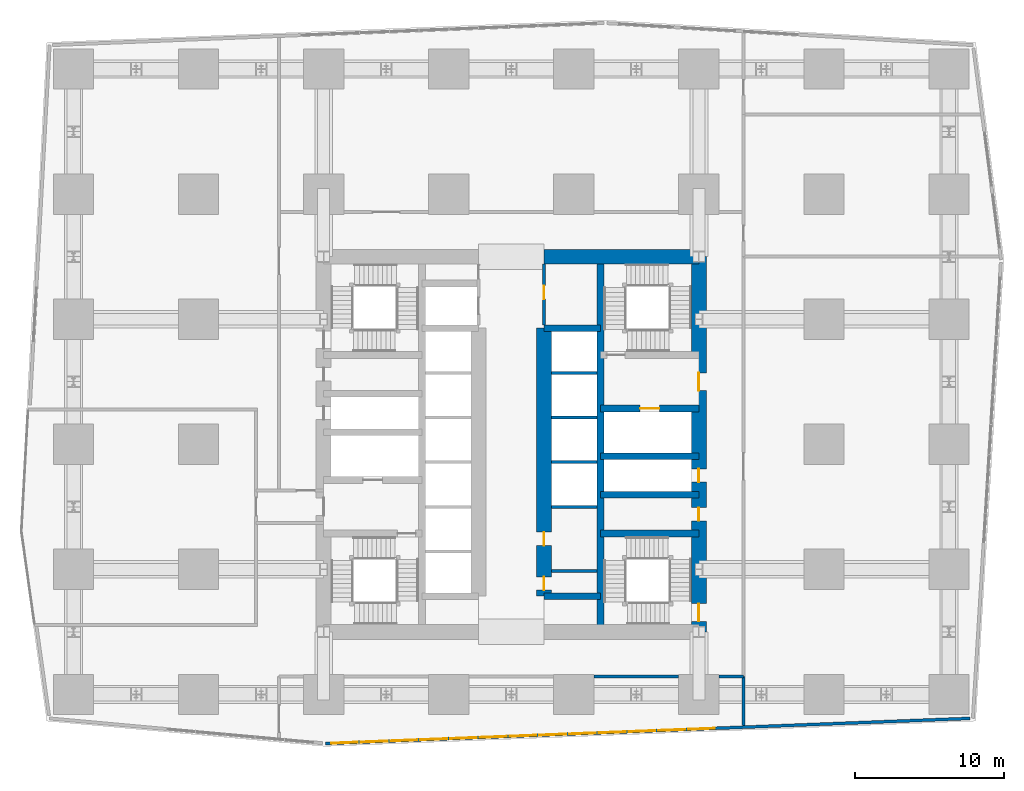
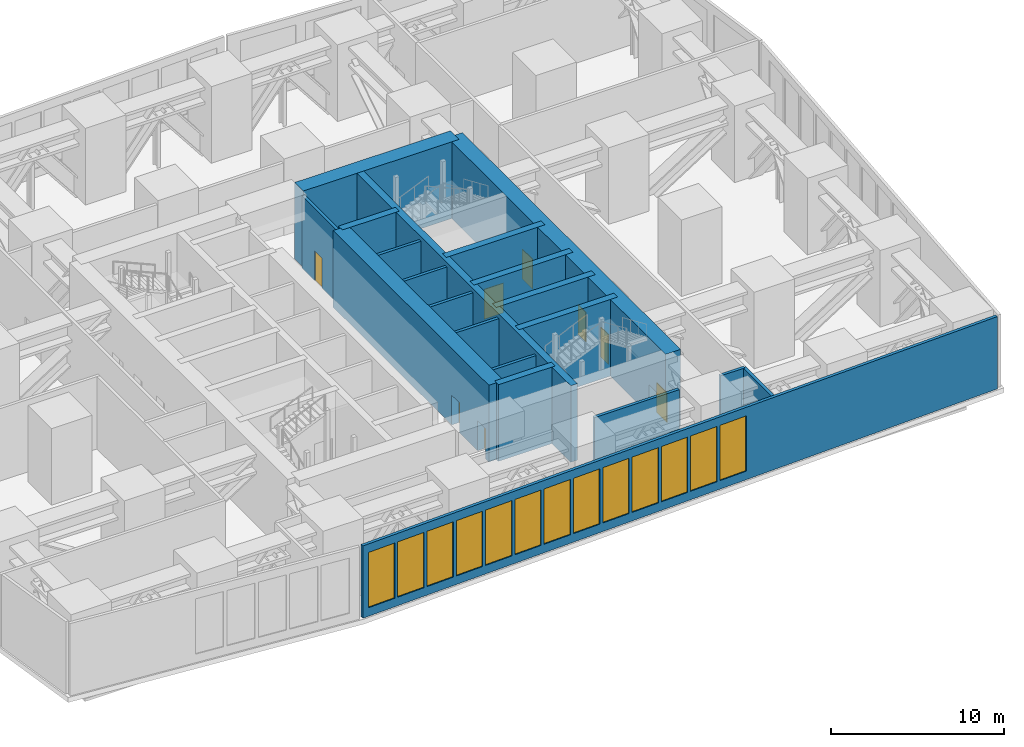
# One storey, part 10 of 16: 20 walls, 13 windows, 8 doors, 21 openings.
"""IFC4 building model written with IfcOpenShell, lengths in metres."""

from ifc_helpers import new_model, si_unit, direction, frame, frame_2d, origin, place, context, subcontext, project, spatial, rectangle, extrude, material, layer, layer_set, type_object, element, fill, save


model = new_model("IFC4")

# Units and contexts
model_context = context("Model", 3, precision=1e-05, world=origin(), true_north=direction((0.0, 1.0)))
body_context = subcontext(model_context, "Body", "Model", "MODEL_VIEW")
ifc_project = project(units=[si_unit("LENGTHUNIT", "METRE"), si_unit("AREAUNIT", "SQUARE_METRE"), si_unit("VOLUMEUNIT", "CUBIC_METRE"), si_unit("PLANEANGLEUNIT", "RADIAN"), si_unit("MASSUNIT", "GRAM", prefix="KILO")], contexts=[model_context])

# Site, building, storey
site_placement = place(None, origin())
site = spatial("IfcSite", under=ifc_project, at=site_placement, CompositionType="ELEMENT")
building_placement = place(site_placement, origin())
building = spatial("IfcBuilding", under=site, at=building_placement, Name="Rekha Terrace Tower", CompositionType="ELEMENT")
storey_placement = place(building_placement, frame((0.0, 0.0, 162.800048828125)))
storey = spatial("IfcBuildingStorey", under=building, at=storey_placement, Name="L41", CompositionType="ELEMENT", Elevation=162.800048828125)

# Walls
ifc_material_1 = material(Name="Concrete M60", Category="concrete")
ifc_layer_1 = layer(ifc_material_1, 0.449951171875)
ifc_layer_set_1 = layer_set([ifc_layer_1], Name="Concrete M60")
wall_type_1 = type_object("IfcWallType", Name="CI3 450 core internal shear wall", PredefinedType="SHEAR", material=ifc_layer_set_1)
wall_1_placement = place(storey_placement, frame((43.800048828125, 21.0, 0.0), z_axis=(0.0, 0.0, 1.0), x_axis=(0.0, 1.0, 0.0)))
element("IfcWall", 1, at=wall_1_placement, inside=storey, type_object=wall_type_1, Name="Core wall X438 L41", PredefinedType="SHEAR", context=body_context, shape_type="SweptSolid", body=[
    extrude(rectangle(XDim=25.199951171875, YDim=0.449951171875, at=frame_2d((12.60009765625, 0.0))), origin(), (0.0, 0.0, 1.0), 5.39990234375),
])
for number, where, z_axis, x_axis, name in (
    (2, (40.0, 23.39990234375, 0.0), (0.0, 0.0, 1.0), (1.0, 0.0, 0.0), "Core wall Y234E L41"),
    (3, (40.0, 41.39990234375, 0.0), (0.0, 0.0, 1.0), (1.0, 0.0, 0.0), "Core wall Y414E L41"),
):
    element("IfcWall", number, at=place(storey_placement, frame(where, z_axis=z_axis, x_axis=x_axis)), inside=storey, type_object=wall_type_1, Name=name, PredefinedType="SHEAR", context=body_context, shape_type="SweptSolid", body=[
        extrude(rectangle(XDim=3.800048828125, YDim=0.449951171875, at=frame_2d((1.89990234375, 0.0))), origin(), (0.0, 0.0, 1.0), 5.39990234375),
    ])
for number, where, z_axis, x_axis, name in (
    (4, (43.800048828125, 27.60009765625, 0.0), (0.0, 0.0, 1.0), (1.0, 0.0, 0.0), "Core wall Y276E L41"),
    (5, (43.800048828125, 30.199951171875, 0.0), (0.0, 0.0, 1.0), (1.0, 0.0, 0.0), "Core wall Y302E L41"),
    (6, (43.800048828125, 32.800048828125, 0.0), (0.0, 0.0, 1.0), (1.0, 0.0, 0.0), "Core wall Y328E L41"),
):
    element("IfcWall", number, at=place(storey_placement, frame(where, z_axis=z_axis, x_axis=x_axis)), inside=storey, type_object=wall_type_1, Name=name, PredefinedType="SHEAR", context=body_context, shape_type="SweptSolid", body=[
        extrude(rectangle(XDim=6.599853515625, YDim=0.449951171875, at=frame_2d((3.2998046875, 0.0))), origin(), (0.0, 0.0, 1.0), 5.39990234375),
    ])

# Wall, opening, door
wall_2_placement = place(storey_placement, frame((43.800048828125, 36.0, 0.0), z_axis=(0.0, 0.0, 1.0), x_axis=(1.0, 0.0, 0.0)))
wall_2 = element("IfcWall", 7, at=wall_2_placement, inside=storey, type_object=wall_type_1, Name="Core wall Y360E L41", PredefinedType="SHEAR", context=body_context, shape_type="SweptSolid", body=[
    extrude(rectangle(XDim=6.599853515625, YDim=0.449951171875, at=frame_2d((3.2998046875, 0.0))), origin(), (0.0, 0.0, 1.0), 5.39990234375),
])
opening_1_placement = place(wall_2_placement, frame((2.64990234375, 0.0, 0.0)))
opening_1 = element("IfcOpeningElement", 8, at=opening_1_placement, cuts=wall_2, Name="Opening LD2", PredefinedType="OPENING", context=body_context, shape_type="SweptSolid", body=[
    extrude(rectangle(XDim=1.300048828125, YDim=2.10009765625, at=frame_2d((0.64990234375, 1.050048828125))), frame((0.0, 0.23486328125, 0.0), z_axis=(0.0, -1.0, 0.0), x_axis=(1.0, 0.0, 0.0)), (0.0, 0.0, 1.0), 0.469970703125),
])
ifc_material_2 = material(Name="Stainless steel sliding landing door", Category="steel")
door_type_1 = type_object("IfcDoorType", Name="LD2 1300x2100 fire lift landing door", OperationType="SLIDING_TO_LEFT", PredefinedType="USERDEFINED", material=ifc_material_2)
door_1_placement = place(opening_1_placement, origin())
door_1 = element("IfcDoor", 9, at=door_1_placement, inside=storey, type_object=door_type_1, Name="Lift FL2 landing door L41", ObjectType="LIFT LANDING DOOR", OperationType="SLIDING_TO_LEFT", OverallHeight=2.10009765625, OverallWidth=1.300048828125, PredefinedType="USERDEFINED", context=body_context, shape_type="SweptSolid", body=[
    extrude(rectangle(XDim=1.300048828125, YDim=2.10009765625, at=frame_2d((0.64990234375, 1.050048828125))), frame((0.0, 0.02490234375, 0.0), z_axis=(0.0, -1.0, 0.0), x_axis=(1.0, 0.0, 0.0)), (0.0, 0.0, 1.0), 0.050048828125),
])
fill(opening_1, door_1)

# Wall, openings, windows
ifc_material_3 = material(Name="Aluminium cladding on steel stud wall", Category="steel")
ifc_layer_2 = layer(ifc_material_3, 0.199951171875)
ifc_layer_set_2 = layer_set([ifc_layer_2], Name="Aluminium cladding on steel stud wall")
wall_type_2 = type_object("IfcWallType", Name="EW1 plant floor louvre wall 200", PredefinedType="SOLIDWALL", material=ifc_layer_set_2)
wall_3_placement = place(storey_placement, frame((25.3251953125, 13.500244140625, 0.0), z_axis=(0.0, 0.0, 1.0), x_axis=(0.999243378677, 0.038893060706, 0.0)))
wall_3 = element("IfcWall", 10, at=wall_3_placement, inside=storey, type_object=wall_type_2, Name="Plant floor louvre wall", PredefinedType="SOLIDWALL", context=body_context, shape_type="SweptSolid", body=[
    extrude(rectangle(XDim=43.319091796875, YDim=0.199951171875, at=frame_2d((21.65966796875, 0.0))), origin(), (0.0, 0.0, 1.0), 5.099853515625),
])
opening_2_placement = place(wall_3_placement, frame((0.37255859375, 0.0, 0.60009765625)))
opening_2 = element("IfcOpeningElement", 11, at=opening_2_placement, cuts=wall_3, Name="Opening LV2", PredefinedType="OPENING", context=body_context, shape_type="SweptSolid", body=[
    extrude(rectangle(XDim=1.800048828125, YDim=3.89990234375, at=frame_2d((0.89990234375, 1.949951171875))), frame((0.0, 0.10986328125, 0.0), z_axis=(0.0, -1.0, 0.0), x_axis=(1.0, 0.0, 0.0)), (0.0, 0.0, 1.0), 0.219970703125),
])
opening_3_placement = place(wall_3_placement, frame((2.37255859375, 0.0, 0.60009765625)))
opening_3 = element("IfcOpeningElement", 12, at=opening_3_placement, cuts=wall_3, Name="Opening LV2", PredefinedType="OPENING", context=body_context, shape_type="SweptSolid", body=[
    extrude(rectangle(XDim=1.800048828125, YDim=3.89990234375, at=frame_2d((0.89990234375, 1.949951171875))), frame((0.0, 0.10986328125, 0.0), z_axis=(0.0, -1.0, 0.0), x_axis=(1.0, 0.0, 0.0)), (0.0, 0.0, 1.0), 0.219970703125),
])
opening_4_placement = place(wall_3_placement, frame((4.37255859375, 0.0, 0.60009765625)))
opening_4 = element("IfcOpeningElement", 13, at=opening_4_placement, cuts=wall_3, Name="Opening LV2", PredefinedType="OPENING", context=body_context, shape_type="SweptSolid", body=[
    extrude(rectangle(XDim=1.800048828125, YDim=3.89990234375, at=frame_2d((0.89990234375, 1.949951171875))), frame((0.0, 0.10986328125, 0.0), z_axis=(0.0, -1.0, 0.0), x_axis=(1.0, 0.0, 0.0)), (0.0, 0.0, 1.0), 0.219970703125),
])
opening_5_placement = place(wall_3_placement, frame((6.37255859375, 0.0, 0.60009765625)))
opening_5 = element("IfcOpeningElement", 14, at=opening_5_placement, cuts=wall_3, Name="Opening LV2", PredefinedType="OPENING", context=body_context, shape_type="SweptSolid", body=[
    extrude(rectangle(XDim=1.800048828125, YDim=3.89990234375, at=frame_2d((0.89990234375, 1.949951171875))), frame((0.0, 0.10986328125, 0.0), z_axis=(0.0, -1.0, 0.0), x_axis=(1.0, 0.0, 0.0)), (0.0, 0.0, 1.0), 0.219970703125),
])
opening_6_placement = place(wall_3_placement, frame((8.37255859375, 0.0, 0.60009765625)))
opening_6 = element("IfcOpeningElement", 15, at=opening_6_placement, cuts=wall_3, Name="Opening LV2", PredefinedType="OPENING", context=body_context, shape_type="SweptSolid", body=[
    extrude(rectangle(XDim=1.800048828125, YDim=3.89990234375, at=frame_2d((0.89990234375, 1.949951171875))), frame((0.0, 0.10986328125, 0.0), z_axis=(0.0, -1.0, 0.0), x_axis=(1.0, 0.0, 0.0)), (0.0, 0.0, 1.0), 0.219970703125),
])
opening_7_placement = place(wall_3_placement, frame((10.37255859375, 0.0, 0.60009765625)))
opening_7 = element("IfcOpeningElement", 16, at=opening_7_placement, cuts=wall_3, Name="Opening LV2", PredefinedType="OPENING", context=body_context, shape_type="SweptSolid", body=[
    extrude(rectangle(XDim=1.800048828125, YDim=3.89990234375, at=frame_2d((0.89990234375, 1.949951171875))), frame((0.0, 0.10986328125, 0.0), z_axis=(0.0, -1.0, 0.0), x_axis=(1.0, 0.0, 0.0)), (0.0, 0.0, 1.0), 0.219970703125),
])
opening_8_placement = place(wall_3_placement, frame((12.37255859375, 0.0, 0.60009765625)))
opening_8 = element("IfcOpeningElement", 17, at=opening_8_placement, cuts=wall_3, Name="Opening LV2", PredefinedType="OPENING", context=body_context, shape_type="SweptSolid", body=[
    extrude(rectangle(XDim=1.800048828125, YDim=3.89990234375, at=frame_2d((0.89990234375, 1.949951171875))), frame((0.0, 0.10986328125, 0.0), z_axis=(0.0, -1.0, 0.0), x_axis=(1.0, 0.0, 0.0)), (0.0, 0.0, 1.0), 0.219970703125),
])
opening_9_placement = place(wall_3_placement, frame((14.37255859375, 0.0, 0.60009765625)))
opening_9 = element("IfcOpeningElement", 18, at=opening_9_placement, cuts=wall_3, Name="Opening LV2", PredefinedType="OPENING", context=body_context, shape_type="SweptSolid", body=[
    extrude(rectangle(XDim=1.800048828125, YDim=3.89990234375, at=frame_2d((0.89990234375, 1.949951171875))), frame((0.0, 0.10986328125, 0.0), z_axis=(0.0, -1.0, 0.0), x_axis=(1.0, 0.0, 0.0)), (0.0, 0.0, 1.0), 0.219970703125),
])
opening_10_placement = place(wall_3_placement, frame((16.37255859375, 0.0, 0.60009765625)))
opening_10 = element("IfcOpeningElement", 19, at=opening_10_placement, cuts=wall_3, Name="Opening LV2", PredefinedType="OPENING", context=body_context, shape_type="SweptSolid", body=[
    extrude(rectangle(XDim=1.800048828125, YDim=3.89990234375, at=frame_2d((0.89990234375, 1.949951171875))), frame((0.0, 0.10986328125, 0.0), z_axis=(0.0, -1.0, 0.0), x_axis=(1.0, 0.0, 0.0)), (0.0, 0.0, 1.0), 0.219970703125),
])
opening_11_placement = place(wall_3_placement, frame((18.37255859375, 0.0, 0.60009765625)))
opening_11 = element("IfcOpeningElement", 20, at=opening_11_placement, cuts=wall_3, Name="Opening LV2", PredefinedType="OPENING", context=body_context, shape_type="SweptSolid", body=[
    extrude(rectangle(XDim=1.800048828125, YDim=3.89990234375, at=frame_2d((0.89990234375, 1.949951171875))), frame((0.0, 0.10986328125, 0.0), z_axis=(0.0, -1.0, 0.0), x_axis=(1.0, 0.0, 0.0)), (0.0, 0.0, 1.0), 0.219970703125),
])
opening_12_placement = place(wall_3_placement, frame((20.37255859375, 0.0, 0.60009765625)))
opening_12 = element("IfcOpeningElement", 21, at=opening_12_placement, cuts=wall_3, Name="Opening LV2", PredefinedType="OPENING", context=body_context, shape_type="SweptSolid", body=[
    extrude(rectangle(XDim=1.800048828125, YDim=3.89990234375, at=frame_2d((0.89990234375, 1.949951171875))), frame((0.0, 0.10986328125, 0.0), z_axis=(0.0, -1.0, 0.0), x_axis=(1.0, 0.0, 0.0)), (0.0, 0.0, 1.0), 0.219970703125),
])
opening_13_placement = place(wall_3_placement, frame((22.37255859375, 0.0, 0.60009765625)))
opening_13 = element("IfcOpeningElement", 22, at=opening_13_placement, cuts=wall_3, Name="Opening LV2", PredefinedType="OPENING", context=body_context, shape_type="SweptSolid", body=[
    extrude(rectangle(XDim=1.800048828125, YDim=3.89990234375, at=frame_2d((0.89990234375, 1.949951171875))), frame((0.0, 0.10986328125, 0.0), z_axis=(0.0, -1.0, 0.0), x_axis=(1.0, 0.0, 0.0)), (0.0, 0.0, 1.0), 0.219970703125),
])
opening_14_placement = place(wall_3_placement, frame((24.37255859375, 0.0, 0.60009765625)))
opening_14 = element("IfcOpeningElement", 23, at=opening_14_placement, cuts=wall_3, Name="Opening LV2", PredefinedType="OPENING", context=body_context, shape_type="SweptSolid", body=[
    extrude(rectangle(XDim=1.800048828125, YDim=3.89990234375, at=frame_2d((0.89990234375, 1.949951171875))), frame((0.0, 0.10986328125, 0.0), z_axis=(0.0, -1.0, 0.0), x_axis=(1.0, 0.0, 0.0)), (0.0, 0.0, 1.0), 0.219970703125),
])
ifc_material_4 = material(Name="Extruded aluminium weather louvre", Category="aluminium")
window_type = type_object("IfcWindowType", Name="LV2 plant louvre 1800", PartitioningType="SINGLE_PANEL", PredefinedType="USERDEFINED", material=ifc_material_4)
window_1_placement = place(opening_2_placement, origin())
window_1 = element("IfcWindow", 24, at=window_1_placement, inside=storey, type_object=window_type, Name="Plant louvre", ObjectType="LOUVRE", OverallHeight=3.89990234375, OverallWidth=1.800048828125, PartitioningType="SINGLE_PANEL", PredefinedType="USERDEFINED", context=body_context, shape_type="SweptSolid", body=[
    extrude(rectangle(XDim=1.800048828125, YDim=3.89990234375, at=frame_2d((0.89990234375, 1.949951171875))), frame((0.0, 0.030029296875, 0.0), z_axis=(0.0, -1.0, 0.0), x_axis=(1.0, 0.0, 0.0)), (0.0, 0.0, 1.0), 0.06005859375),
])
fill(opening_2, window_1)
window_2_placement = place(opening_3_placement, origin())
window_2 = element("IfcWindow", 25, at=window_2_placement, inside=storey, type_object=window_type, Name="Plant louvre", ObjectType="LOUVRE", OverallHeight=3.89990234375, OverallWidth=1.800048828125, PartitioningType="SINGLE_PANEL", PredefinedType="USERDEFINED", context=body_context, shape_type="SweptSolid", body=[
    extrude(rectangle(XDim=1.800048828125, YDim=3.89990234375, at=frame_2d((0.89990234375, 1.949951171875))), frame((0.0, 0.030029296875, 0.0), z_axis=(0.0, -1.0, 0.0), x_axis=(1.0, 0.0, 0.0)), (0.0, 0.0, 1.0), 0.06005859375),
])
fill(opening_3, window_2)
window_3_placement = place(opening_4_placement, origin())
window_3 = element("IfcWindow", 26, at=window_3_placement, inside=storey, type_object=window_type, Name="Plant louvre", ObjectType="LOUVRE", OverallHeight=3.89990234375, OverallWidth=1.800048828125, PartitioningType="SINGLE_PANEL", PredefinedType="USERDEFINED", context=body_context, shape_type="SweptSolid", body=[
    extrude(rectangle(XDim=1.800048828125, YDim=3.89990234375, at=frame_2d((0.89990234375, 1.949951171875))), frame((0.0, 0.030029296875, 0.0), z_axis=(0.0, -1.0, 0.0), x_axis=(1.0, 0.0, 0.0)), (0.0, 0.0, 1.0), 0.06005859375),
])
fill(opening_4, window_3)
window_4_placement = place(opening_5_placement, origin())
window_4 = element("IfcWindow", 27, at=window_4_placement, inside=storey, type_object=window_type, Name="Plant louvre", ObjectType="LOUVRE", OverallHeight=3.89990234375, OverallWidth=1.800048828125, PartitioningType="SINGLE_PANEL", PredefinedType="USERDEFINED", context=body_context, shape_type="SweptSolid", body=[
    extrude(rectangle(XDim=1.800048828125, YDim=3.89990234375, at=frame_2d((0.89990234375, 1.949951171875))), frame((0.0, 0.030029296875, 0.0), z_axis=(0.0, -1.0, 0.0), x_axis=(1.0, 0.0, 0.0)), (0.0, 0.0, 1.0), 0.06005859375),
])
fill(opening_5, window_4)
window_5_placement = place(opening_6_placement, origin())
window_5 = element("IfcWindow", 28, at=window_5_placement, inside=storey, type_object=window_type, Name="Plant louvre", ObjectType="LOUVRE", OverallHeight=3.89990234375, OverallWidth=1.800048828125, PartitioningType="SINGLE_PANEL", PredefinedType="USERDEFINED", context=body_context, shape_type="SweptSolid", body=[
    extrude(rectangle(XDim=1.800048828125, YDim=3.89990234375, at=frame_2d((0.89990234375, 1.949951171875))), frame((0.0, 0.030029296875, 0.0), z_axis=(0.0, -1.0, 0.0), x_axis=(1.0, 0.0, 0.0)), (0.0, 0.0, 1.0), 0.06005859375),
])
fill(opening_6, window_5)
window_6_placement = place(opening_7_placement, origin())
window_6 = element("IfcWindow", 29, at=window_6_placement, inside=storey, type_object=window_type, Name="Plant louvre", ObjectType="LOUVRE", OverallHeight=3.89990234375, OverallWidth=1.800048828125, PartitioningType="SINGLE_PANEL", PredefinedType="USERDEFINED", context=body_context, shape_type="SweptSolid", body=[
    extrude(rectangle(XDim=1.800048828125, YDim=3.89990234375, at=frame_2d((0.89990234375, 1.949951171875))), frame((0.0, 0.030029296875, 0.0), z_axis=(0.0, -1.0, 0.0), x_axis=(1.0, 0.0, 0.0)), (0.0, 0.0, 1.0), 0.06005859375),
])
fill(opening_7, window_6)
window_7_placement = place(opening_8_placement, origin())
window_7 = element("IfcWindow", 30, at=window_7_placement, inside=storey, type_object=window_type, Name="Plant louvre", ObjectType="LOUVRE", OverallHeight=3.89990234375, OverallWidth=1.800048828125, PartitioningType="SINGLE_PANEL", PredefinedType="USERDEFINED", context=body_context, shape_type="SweptSolid", body=[
    extrude(rectangle(XDim=1.800048828125, YDim=3.89990234375, at=frame_2d((0.89990234375, 1.949951171875))), frame((0.0, 0.030029296875, 0.0), z_axis=(0.0, -1.0, 0.0), x_axis=(1.0, 0.0, 0.0)), (0.0, 0.0, 1.0), 0.06005859375),
])
fill(opening_8, window_7)
window_8_placement = place(opening_9_placement, origin())
window_8 = element("IfcWindow", 31, at=window_8_placement, inside=storey, type_object=window_type, Name="Plant louvre", ObjectType="LOUVRE", OverallHeight=3.89990234375, OverallWidth=1.800048828125, PartitioningType="SINGLE_PANEL", PredefinedType="USERDEFINED", context=body_context, shape_type="SweptSolid", body=[
    extrude(rectangle(XDim=1.800048828125, YDim=3.89990234375, at=frame_2d((0.89990234375, 1.949951171875))), frame((0.0, 0.030029296875, 0.0), z_axis=(0.0, -1.0, 0.0), x_axis=(1.0, 0.0, 0.0)), (0.0, 0.0, 1.0), 0.06005859375),
])
fill(opening_9, window_8)
window_9_placement = place(opening_10_placement, origin())
window_9 = element("IfcWindow", 32, at=window_9_placement, inside=storey, type_object=window_type, Name="Plant louvre", ObjectType="LOUVRE", OverallHeight=3.89990234375, OverallWidth=1.800048828125, PartitioningType="SINGLE_PANEL", PredefinedType="USERDEFINED", context=body_context, shape_type="SweptSolid", body=[
    extrude(rectangle(XDim=1.800048828125, YDim=3.89990234375, at=frame_2d((0.89990234375, 1.949951171875))), frame((0.0, 0.030029296875, 0.0), z_axis=(0.0, -1.0, 0.0), x_axis=(1.0, 0.0, 0.0)), (0.0, 0.0, 1.0), 0.06005859375),
])
fill(opening_10, window_9)
window_10_placement = place(opening_11_placement, origin())
window_10 = element("IfcWindow", 33, at=window_10_placement, inside=storey, type_object=window_type, Name="Plant louvre", ObjectType="LOUVRE", OverallHeight=3.89990234375, OverallWidth=1.800048828125, PartitioningType="SINGLE_PANEL", PredefinedType="USERDEFINED", context=body_context, shape_type="SweptSolid", body=[
    extrude(rectangle(XDim=1.800048828125, YDim=3.89990234375, at=frame_2d((0.89990234375, 1.949951171875))), frame((0.0, 0.030029296875, 0.0), z_axis=(0.0, -1.0, 0.0), x_axis=(1.0, 0.0, 0.0)), (0.0, 0.0, 1.0), 0.06005859375),
])
fill(opening_11, window_10)
window_11_placement = place(opening_12_placement, origin())
window_11 = element("IfcWindow", 34, at=window_11_placement, inside=storey, type_object=window_type, Name="Plant louvre", ObjectType="LOUVRE", OverallHeight=3.89990234375, OverallWidth=1.800048828125, PartitioningType="SINGLE_PANEL", PredefinedType="USERDEFINED", context=body_context, shape_type="SweptSolid", body=[
    extrude(rectangle(XDim=1.800048828125, YDim=3.89990234375, at=frame_2d((0.89990234375, 1.949951171875))), frame((0.0, 0.030029296875, 0.0), z_axis=(0.0, -1.0, 0.0), x_axis=(1.0, 0.0, 0.0)), (0.0, 0.0, 1.0), 0.06005859375),
])
fill(opening_12, window_11)
window_12_placement = place(opening_13_placement, origin())
window_12 = element("IfcWindow", 35, at=window_12_placement, inside=storey, type_object=window_type, Name="Plant louvre", ObjectType="LOUVRE", OverallHeight=3.89990234375, OverallWidth=1.800048828125, PartitioningType="SINGLE_PANEL", PredefinedType="USERDEFINED", context=body_context, shape_type="SweptSolid", body=[
    extrude(rectangle(XDim=1.800048828125, YDim=3.89990234375, at=frame_2d((0.89990234375, 1.949951171875))), frame((0.0, 0.030029296875, 0.0), z_axis=(0.0, -1.0, 0.0), x_axis=(1.0, 0.0, 0.0)), (0.0, 0.0, 1.0), 0.06005859375),
])
fill(opening_13, window_12)
window_13_placement = place(opening_14_placement, origin())
window_13 = element("IfcWindow", 36, at=window_13_placement, inside=storey, type_object=window_type, Name="Plant louvre", ObjectType="LOUVRE", OverallHeight=3.89990234375, OverallWidth=1.800048828125, PartitioningType="SINGLE_PANEL", PredefinedType="USERDEFINED", context=body_context, shape_type="SweptSolid", body=[
    extrude(rectangle(XDim=1.800048828125, YDim=3.89990234375, at=frame_2d((0.89990234375, 1.949951171875))), frame((0.0, 0.030029296875, 0.0), z_axis=(0.0, -1.0, 0.0), x_axis=(1.0, 0.0, 0.0)), (0.0, 0.0, 1.0), 0.06005859375),
])
fill(opening_14, window_13)

# Wall, openings, doors
ifc_layer_3 = layer(ifc_material_1, 1.0)
ifc_layer_set_3 = layer_set([ifc_layer_3], Name="Concrete M60")
wall_type_3 = type_object("IfcWallType", Name="LW3 1000 core lobby wall at an outrigger level", PredefinedType="SHEAR", material=ifc_layer_set_3)
wall_4_placement = place(storey_placement, frame((40.0, 23.39990234375, 0.0), z_axis=(0.0, 0.0, 1.0), x_axis=(0.0, 1.0, 0.0)))
wall_4 = element("IfcWall", 37, at=wall_4_placement, inside=storey, type_object=wall_type_3, Name="Core wall X400 L41", PredefinedType="SHEAR", context=body_context, shape_type="SweptSolid", body=[
    extrude(rectangle(XDim=18.0, YDim=1.0, at=frame_2d((9.0, 0.0))), origin(), (0.0, 0.0, 1.0), 5.39990234375),
])
opening_15_placement = place(wall_4_placement, frame((0.39990234375, 0.0, 0.0)))
opening_15 = element("IfcOpeningElement", 38, at=opening_15_placement, cuts=wall_4, Name="Opening D5", PredefinedType="OPENING", context=body_context, shape_type="SweptSolid", body=[
    extrude(rectangle(XDim=0.89990234375, YDim=2.10009765625, at=frame_2d((0.449951171875, 1.050048828125))), frame((0.0, 0.510009765625, 0.0), z_axis=(0.0, -1.0, 0.0), x_axis=(1.0, 0.0, 0.0)), (0.0, 0.0, 1.0), 1.02001953125),
])
opening_16_placement = place(wall_4_placement, frame((3.39990234375, 0.0, 0.0)))
opening_16 = element("IfcOpeningElement", 39, at=opening_16_placement, cuts=wall_4, Name="Opening D5", PredefinedType="OPENING", context=body_context, shape_type="SweptSolid", body=[
    extrude(rectangle(XDim=0.89990234375, YDim=2.10009765625, at=frame_2d((0.449951171875, 1.050048828125))), frame((0.0, 0.510009765625, 0.0), z_axis=(0.0, -1.0, 0.0), x_axis=(1.0, 0.0, 0.0)), (0.0, 0.0, 1.0), 1.02001953125),
])
ifc_material_5 = material(Name="Steel fire door", Category="steel")
door_type_2 = type_object("IfcDoorType", Name="D5 900x2100 riser access door", OperationType="SINGLE_SWING_LEFT", PredefinedType="DOOR", material=ifc_material_5)
door_2_placement = place(opening_15_placement, origin())
door_2 = element("IfcDoor", 40, at=door_2_placement, inside=storey, type_object=door_type_2, Name="Door plant spares store L41", OperationType="SINGLE_SWING_LEFT", OverallHeight=2.10009765625, OverallWidth=0.89990234375, PredefinedType="DOOR", context=body_context, shape_type="SweptSolid", body=[
    extrude(rectangle(XDim=0.89990234375, YDim=2.10009765625, at=frame_2d((0.449951171875, 1.050048828125))), frame((0.0, 0.02490234375, 0.0), z_axis=(0.0, -1.0, 0.0), x_axis=(1.0, 0.0, 0.0)), (0.0, 0.0, 1.0), 0.050048828125),
])
fill(opening_15, door_2)
door_3_placement = place(opening_16_placement, origin())
door_3 = element("IfcDoor", 41, at=door_3_placement, inside=storey, type_object=door_type_2, Name="Door building management panel room L41", OperationType="SINGLE_SWING_LEFT", OverallHeight=2.10009765625, OverallWidth=0.89990234375, PredefinedType="DOOR", context=body_context, shape_type="SweptSolid", body=[
    extrude(rectangle(XDim=0.89990234375, YDim=2.10009765625, at=frame_2d((0.449951171875, 1.050048828125))), frame((0.0, 0.02490234375, 0.0), z_axis=(0.0, -1.0, 0.0), x_axis=(1.0, 0.0, 0.0)), (0.0, 0.0, 1.0), 0.050048828125),
])
fill(opening_16, door_3)

# Wall
ifc_layer_4 = layer(ifc_material_1, 1.0)
ifc_layer_set_4 = layer_set([ifc_layer_4], Name="Concrete M60")
wall_type_4 = type_object("IfcWallType", Name="SW3 1000 core outer shear wall", PredefinedType="SHEAR", material=ifc_layer_set_4)
wall_5_placement = place(storey_placement, frame((40.0, 46.199951171875, 0.0), z_axis=(0.0, 0.0, 1.0), x_axis=(1.0, 0.0, 0.0)))
element("IfcWall", 42, at=wall_5_placement, inside=storey, type_object=wall_type_4, Name="Core wall N2 L41", PredefinedType="SHEAR", context=body_context, shape_type="SweptSolid", body=[
    extrude(rectangle(XDim=10.39990234375, YDim=1.0, at=frame_2d((5.199951171875, 0.0))), origin(), (0.0, 0.0, 1.0), 5.39990234375),
])

# Wall, openings, doors
wall_6_placement = place(storey_placement, frame((50.39990234375, 21.0, 0.0), z_axis=(0.0, 0.0, 1.0), x_axis=(0.0, 1.0, 0.0)))
wall_6 = element("IfcWall", 43, at=wall_6_placement, inside=storey, type_object=wall_type_4, Name="Core wall E L41", PredefinedType="SHEAR", context=body_context, shape_type="SweptSolid", body=[
    extrude(rectangle(XDim=25.199951171875, YDim=1.0, at=frame_2d((12.60009765625, 0.0))), origin(), (0.0, 0.0, 1.0), 5.39990234375),
])
opening_17_placement = place(wall_6_placement, frame((16.199951171875, 0.0, 0.0)))
opening_17 = element("IfcOpeningElement", 44, at=opening_17_placement, cuts=wall_6, Name="Opening D2", PredefinedType="OPENING", context=body_context, shape_type="SweptSolid", body=[
    extrude(rectangle(XDim=1.199951171875, YDim=2.10009765625, at=frame_2d((0.60009765625, 1.050048828125))), frame((0.0, 0.510009765625, 0.0), z_axis=(0.0, -1.0, 0.0), x_axis=(1.0, 0.0, 0.0)), (0.0, 0.0, 1.0), 1.02001953125),
])
opening_18_placement = place(wall_6_placement, frame((10.050048828125, 0.0, 0.0)))
opening_18 = element("IfcOpeningElement", 45, at=opening_18_placement, cuts=wall_6, Name="Opening D5", PredefinedType="OPENING", context=body_context, shape_type="SweptSolid", body=[
    extrude(rectangle(XDim=0.89990234375, YDim=2.10009765625, at=frame_2d((0.449951171875, 1.050048828125))), frame((0.0, 0.510009765625, 0.0), z_axis=(0.0, -1.0, 0.0), x_axis=(1.0, 0.0, 0.0)), (0.0, 0.0, 1.0), 1.02001953125),
])
opening_19_placement = place(wall_6_placement, frame((7.449951171875, 0.0, 0.0)))
opening_19 = element("IfcOpeningElement", 46, at=opening_19_placement, cuts=wall_6, Name="Opening D5", PredefinedType="OPENING", context=body_context, shape_type="SweptSolid", body=[
    extrude(rectangle(XDim=0.89990234375, YDim=2.10009765625, at=frame_2d((0.449951171875, 1.050048828125))), frame((0.0, 0.510009765625, 0.0), z_axis=(0.0, -1.0, 0.0), x_axis=(1.0, 0.0, 0.0)), (0.0, 0.0, 1.0), 1.02001953125),
])
opening_20_placement = place(wall_6_placement, frame((0.699951171875, 0.0, 0.0)))
opening_20 = element("IfcOpeningElement", 47, at=opening_20_placement, cuts=wall_6, Name="Opening D1", PredefinedType="OPENING", context=body_context, shape_type="SweptSolid", body=[
    extrude(rectangle(XDim=1.199951171875, YDim=2.10009765625, at=frame_2d((0.60009765625, 1.050048828125))), frame((0.0, 0.510009765625, 0.0), z_axis=(0.0, -1.0, 0.0), x_axis=(1.0, 0.0, 0.0)), (0.0, 0.0, 1.0), 1.02001953125),
])
door_type_3 = type_object("IfcDoorType", Name="D1 1200x2100 stair fire door", OperationType="SINGLE_SWING_RIGHT", PredefinedType="DOOR", material=ifc_material_5)
door_4_placement = place(opening_20_placement, origin())
door_4 = element("IfcDoor", 48, at=door_4_placement, inside=storey, type_object=door_type_3, Name="Stair ST3 door L41", OperationType="SINGLE_SWING_RIGHT", OverallHeight=2.10009765625, OverallWidth=1.199951171875, PredefinedType="DOOR", context=body_context, shape_type="SweptSolid", body=[
    extrude(rectangle(XDim=1.199951171875, YDim=2.10009765625, at=frame_2d((0.60009765625, 1.050048828125))), frame((0.0, 0.02490234375, 0.0), z_axis=(0.0, -1.0, 0.0), x_axis=(1.0, 0.0, 0.0)), (0.0, 0.0, 1.0), 0.050048828125),
])
fill(opening_20, door_4)
door_type_4 = type_object("IfcDoorType", Name="D2 1200x2100 firefighting lobby door", OperationType="SINGLE_SWING_LEFT", PredefinedType="DOOR", material=ifc_material_5)
door_5_placement = place(opening_17_placement, origin())
door_5 = element("IfcDoor", 49, at=door_5_placement, inside=storey, type_object=door_type_4, Name="Door flb2 L41", OperationType="SINGLE_SWING_LEFT", OverallHeight=2.10009765625, OverallWidth=1.199951171875, PredefinedType="DOOR", context=body_context, shape_type="SweptSolid", body=[
    extrude(rectangle(XDim=1.199951171875, YDim=2.10009765625, at=frame_2d((0.60009765625, 1.050048828125))), frame((0.0, 0.02490234375, 0.0), z_axis=(0.0, -1.0, 0.0), x_axis=(1.0, 0.0, 0.0)), (0.0, 0.0, 1.0), 0.050048828125),
])
fill(opening_17, door_5)
door_6_placement = place(opening_18_placement, origin())
door_6 = element("IfcDoor", 50, at=door_6_placement, inside=storey, type_object=door_type_2, Name="Door rs2 L41", OperationType="SINGLE_SWING_LEFT", OverallHeight=2.10009765625, OverallWidth=0.89990234375, PredefinedType="DOOR", context=body_context, shape_type="SweptSolid", body=[
    extrude(rectangle(XDim=0.89990234375, YDim=2.10009765625, at=frame_2d((0.449951171875, 1.050048828125))), frame((0.0, 0.02490234375, 0.0), z_axis=(0.0, -1.0, 0.0), x_axis=(1.0, 0.0, 0.0)), (0.0, 0.0, 1.0), 0.050048828125),
])
fill(opening_18, door_6)
door_7_placement = place(opening_19_placement, origin())
door_7 = element("IfcDoor", 51, at=door_7_placement, inside=storey, type_object=door_type_2, Name="Door ele L41", OperationType="SINGLE_SWING_LEFT", OverallHeight=2.10009765625, OverallWidth=0.89990234375, PredefinedType="DOOR", context=body_context, shape_type="SweptSolid", body=[
    extrude(rectangle(XDim=0.89990234375, YDim=2.10009765625, at=frame_2d((0.449951171875, 1.050048828125))), frame((0.0, 0.02490234375, 0.0), z_axis=(0.0, -1.0, 0.0), x_axis=(1.0, 0.0, 0.0)), (0.0, 0.0, 1.0), 0.050048828125),
])
fill(opening_19, door_7)

# Walls
ifc_material_6 = material(Name="Solid concrete block masonry, 2 hour", Category="masonry")
ifc_layer_5 = layer(ifc_material_6, 0.199951171875)
ifc_layer_set_5 = layer_set([ifc_layer_5], Name="Solid concrete block masonry, 2 hour")
wall_type_5 = type_object("IfcWallType", Name="WP1 200 plant room wall", PredefinedType="PARTITIONING", material=ifc_layer_set_5)
wall_7_placement = place(storey_placement, frame((43.3701171875, 18.0, 0.0), z_axis=(0.0, 0.0, 1.0), x_axis=(1.0, 0.0, 0.0)))
element("IfcWall", 52, at=wall_7_placement, inside=storey, type_object=wall_type_5, Name="Partition L41-02", PredefinedType="PARTITIONING", context=body_context, shape_type="SweptSolid", body=[
    extrude(rectangle(XDim=5.659912109375, YDim=0.199951171875, at=frame_2d((2.830078125, 0.0))), origin(), (0.0, 0.0, 1.0), 5.099853515625),
])
wall_8_placement = place(storey_placement, frame((51.77001953125, 18.0, 0.0), z_axis=(0.0, 0.0, 1.0), x_axis=(1.0, 0.0, 0.0)))
element("IfcWall", 53, at=wall_8_placement, inside=storey, type_object=wall_type_5, Name="Partition L41-02", PredefinedType="PARTITIONING", context=body_context, shape_type="SweptSolid", body=[
    extrude(rectangle(XDim=1.6298828125, YDim=0.199951171875, at=frame_2d((0.81494140625, 0.0))), origin(), (0.0, 0.0, 1.0), 5.099853515625),
])
wall_9_placement = place(storey_placement, frame((53.39990234375, 18.0, 0.0), z_axis=(0.0, 0.0, 1.0), x_axis=(0.0, -1.0, 0.0)))
element("IfcWall", 54, at=wall_9_placement, inside=storey, type_object=wall_type_5, Name="Partition L41-02", PredefinedType="PARTITIONING", context=body_context, shape_type="SweptSolid", body=[
    extrude(rectangle(XDim=3.306884765625, YDim=0.199951171875, at=frame_2d((1.6533203125, 0.0))), origin(), (0.0, 0.0, 1.0), 5.099853515625),
])
ifc_layer_6 = layer(ifc_material_6, 0.199951171875)
ifc_layer_set_6 = layer_set([ifc_layer_6], Name="Solid concrete block masonry, 2 hour")
wall_type_6 = type_object("IfcWallType", Name="WS1 200 stair and shaft enclosure", PredefinedType="PARTITIONING", material=ifc_layer_set_6)
for number, where, z_axis, x_axis, name in (
    (55, (40.5, 29.39990234375, 0.0), (0.0, 0.0, 1.0), (1.0, 0.0, 0.0), "Lift shaft divider L41"),
    (56, (40.5, 32.39990234375, 0.0), (0.0, 0.0, 1.0), (1.0, 0.0, 0.0), "Lift shaft divider L41"),
    (57, (40.5, 35.39990234375, 0.0), (0.0, 0.0, 1.0), (1.0, 0.0, 0.0), "Lift shaft divider L41"),
    (58, (40.5, 38.39990234375, 0.0), (0.0, 0.0, 1.0), (1.0, 0.0, 0.0), "Lift shaft divider L41"),
):
    element("IfcWall", number, at=place(storey_placement, frame(where, z_axis=z_axis, x_axis=x_axis)), inside=storey, type_object=wall_type_6, Name=name, PredefinedType="PARTITIONING", context=body_context, shape_type="SweptSolid", body=[
        extrude(rectangle(XDim=3.074951171875, YDim=0.199951171875, at=frame_2d((1.53759765625, 0.0))), origin(), (0.0, 0.0, 1.0), 5.099853515625),
    ])

# Wall, opening, door
wall_10_placement = place(storey_placement, frame((40.0, 41.625, 0.0), z_axis=(0.0, 0.0, 1.0), x_axis=(0.0, 1.0, 0.0)))
wall_10 = element("IfcWall", 59, at=wall_10_placement, inside=storey, type_object=wall_type_6, Name="Core partition elec L41", PredefinedType="PARTITIONING", context=body_context, shape_type="SweptSolid", body=[
    extrude(rectangle(XDim=4.074951171875, YDim=0.199951171875, at=frame_2d((2.03759765625, 0.0))), origin(), (0.0, 0.0, 1.0), 5.099853515625),
])
opening_21_placement = place(wall_10_placement, frame((1.72509765625, 0.0, 0.0)))
opening_21 = element("IfcOpeningElement", 60, at=opening_21_placement, cuts=wall_10, Name="Opening D5", PredefinedType="OPENING", context=body_context, shape_type="SweptSolid", body=[
    extrude(rectangle(XDim=0.89990234375, YDim=2.10009765625, at=frame_2d((0.449951171875, 1.050048828125))), frame((0.0, 0.10986328125, 0.0), z_axis=(0.0, -1.0, 0.0), x_axis=(1.0, 0.0, 0.0)), (0.0, 0.0, 1.0), 0.219970703125),
])
door_8_placement = place(opening_21_placement, origin())
door_8 = element("IfcDoor", 61, at=door_8_placement, inside=storey, type_object=door_type_2, Name="Door electrical room L41", OperationType="SINGLE_SWING_LEFT", OverallHeight=2.10009765625, OverallWidth=0.89990234375, PredefinedType="DOOR", context=body_context, shape_type="SweptSolid", body=[
    extrude(rectangle(XDim=0.89990234375, YDim=2.10009765625, at=frame_2d((0.449951171875, 1.050048828125))), frame((0.0, 0.02490234375, 0.0), z_axis=(0.0, -1.0, 0.0), x_axis=(1.0, 0.0, 0.0)), (0.0, 0.0, 1.0), 0.050048828125),
])
fill(opening_21, door_8)

# Wall
wall_11_placement = place(storey_placement, frame((40.5, 25.10009765625, 0.0), z_axis=(0.0, 0.0, 1.0), x_axis=(1.0, 0.0, 0.0)))
element("IfcWall", 62, at=wall_11_placement, inside=storey, type_object=wall_type_6, Name="Core partition freed shafts L41", PredefinedType="PARTITIONING", context=body_context, shape_type="SweptSolid", body=[
    extrude(rectangle(XDim=3.074951171875, YDim=0.199951171875, at=frame_2d((1.53759765625, 0.0))), origin(), (0.0, 0.0, 1.0), 5.099853515625),
])

save(model, "model.ifc")
